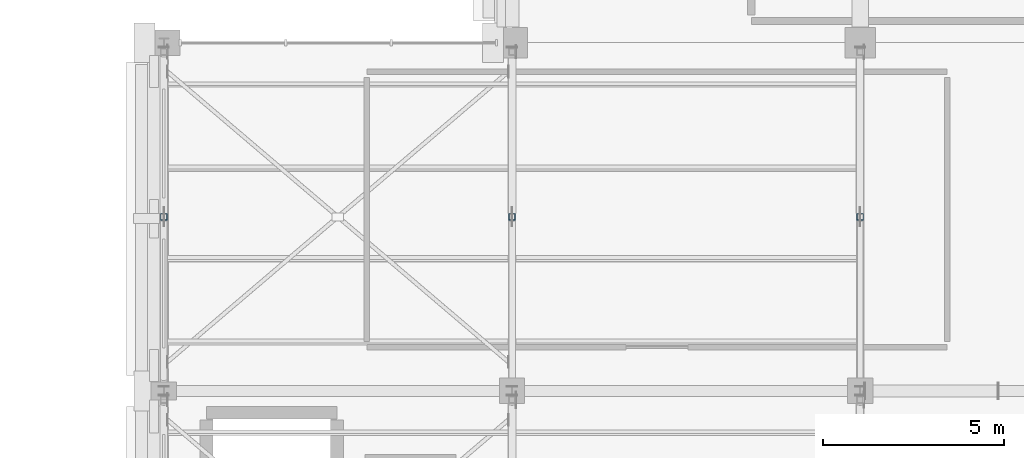
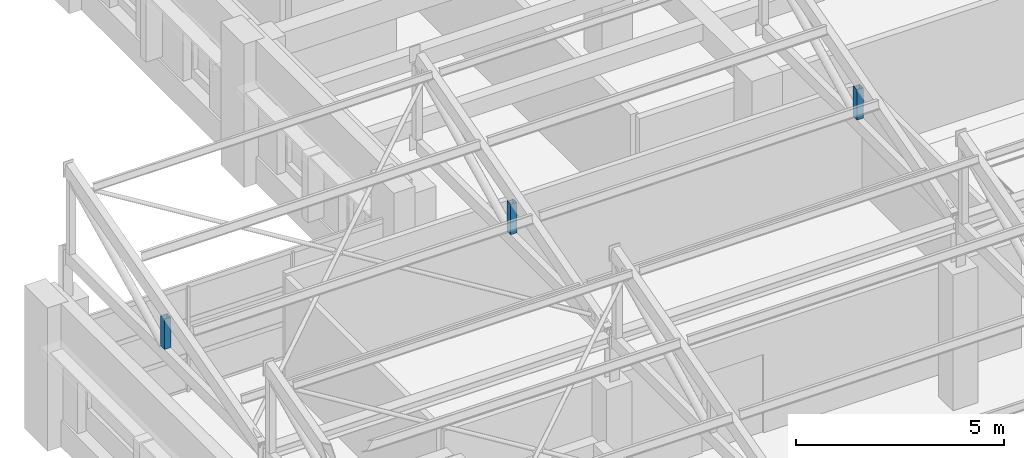
# One storey, part 32 of 58: 3 members.
"""IFC4 building model written with IfcOpenShell, lengths in metres."""

from ifc_helpers import new_model, si_unit, direction, frame, origin, origin_2d, place, context, subcontext, project, spatial, hollow_rectangle, extrude, material, material_profile, profile_set, type_object, element, save


model = new_model("IFC4")

# Units and contexts
model_context = context("Model", 3, precision=1e-05, world=origin(), true_north=direction((0.0, 1.0)))
body_context = subcontext(model_context, "Body", "Model", "MODEL_VIEW")
ifc_project = project(units=[si_unit("LENGTHUNIT", "METRE"), si_unit("AREAUNIT", "SQUARE_METRE"), si_unit("VOLUMEUNIT", "CUBIC_METRE"), si_unit("PLANEANGLEUNIT", "RADIAN"), si_unit("MASSUNIT", "GRAM", prefix="KILO")], contexts=[model_context])

# Site, building, storey
site_placement = place(None, origin())
site = spatial("IfcSite", under=ifc_project, at=site_placement, CompositionType="ELEMENT")
building_placement = place(site_placement, origin())
building = spatial("IfcBuilding", under=site, at=building_placement, Name="Bempovik Park Faculty of Sciences", CompositionType="ELEMENT")
storey_placement = place(building_placement, frame((0.0, 0.0, 18.300048828125)))
storey = spatial("IfcBuildingStorey", under=building, at=storey_placement, Name="L04", CompositionType="ELEMENT", Elevation=18.300048828125)

# Members
ifc_material = material(Name="Steel S355", Category="steel")
ifc_material_profile = material_profile(ifc_material, hollow_rectangle(XDim=0.179931640625, YDim=0.179931640625, WallThickness=0.008056640625, at=origin_2d()), Name="SHS 180x180x8")
ifc_profile_set = profile_set([ifc_material_profile], Name="Steel S355")
member_type = type_object("IfcMemberType", Name="M-40 SHS 180x180x8", PredefinedType="POST", material=ifc_profile_set)
for number, where, z_axis, x_axis, name in (
    (1, (50.39990234375, 82.199951171875, 5.36083984375), (0.0, 0.0, 1.0), (1.0, 0.0, 0.0), "Sawtooth Mid Post V2-B2 (50.4)"),
    (2, (60.0, 82.199951171875, 5.36083984375), (0.0, 0.0, 1.0), (1.0, 0.0, 0.0), "Sawtooth Mid Post V2-B2 (60.0)"),
    (3, (69.60009765625, 82.199951171875, 5.36083984375), (0.0, 0.0, 1.0), (1.0, 0.0, 0.0), "Sawtooth Mid Post V2-B2 (69.6)"),
):
    element("IfcMember", number, at=place(storey_placement, frame(where, z_axis=z_axis, x_axis=x_axis)), inside=storey, type_object=member_type, Name=name, PredefinedType="POST", context=body_context, shape_type="SweptSolid", body=[
        extrude(hollow_rectangle(XDim=0.179931640625, YDim=0.179931640625, WallThickness=0.008056640625, at=origin_2d()), origin(), (0.0, 0.0, 1.0), 0.8876953125),
    ])

save(model, "model.ifc")
